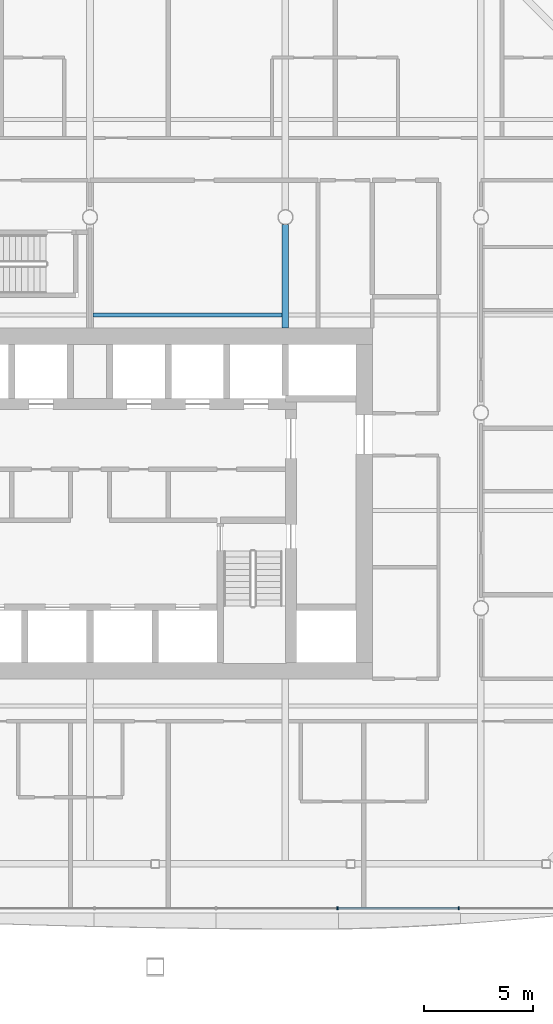
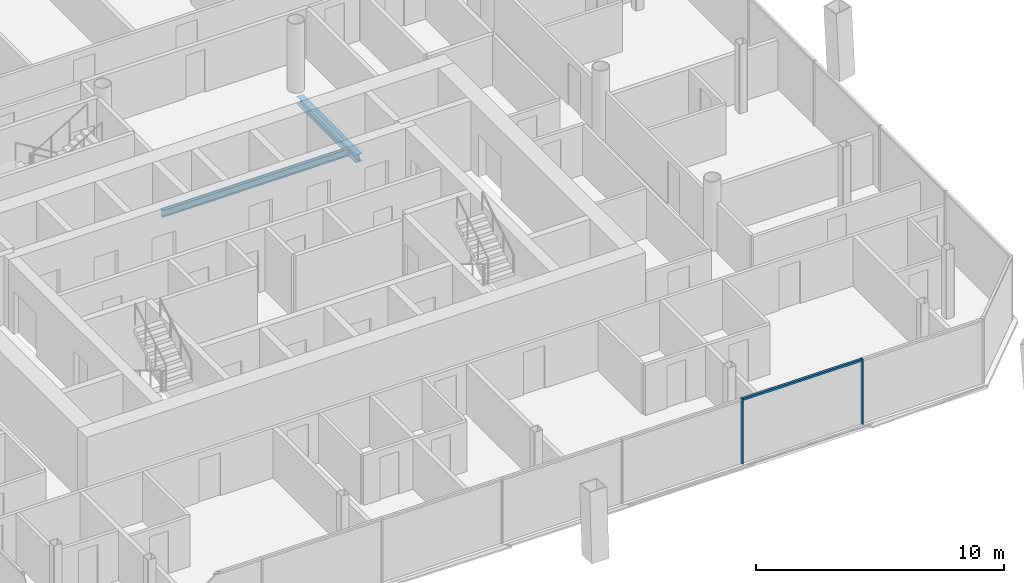
# One storey, part 6 of 21: 3 members, 2 beams, 1 element without a shape of its own.
"""IFC4 building model written with IfcOpenShell, lengths in metres."""

from ifc_helpers import new_model, si_unit, direction, frame, origin, origin_2d, place, context, subcontext, project, spatial, rectangle, i_section, extrude, material, material_profile, profile_set, type_object, element, aggregate, save


model = new_model("IFC4")

# Units and contexts
model_context = context("Model", 3, precision=1e-05, world=origin(), true_north=direction((0.0, 1.0)))
body_context = subcontext(model_context, "Body", "Model", "MODEL_VIEW")
ifc_project = project(units=[si_unit("LENGTHUNIT", "METRE"), si_unit("AREAUNIT", "SQUARE_METRE"), si_unit("VOLUMEUNIT", "CUBIC_METRE"), si_unit("PLANEANGLEUNIT", "RADIAN"), si_unit("MASSUNIT", "GRAM", prefix="KILO")], contexts=[model_context])

# Site, building, storey
site_placement = place(None, origin())
site = spatial("IfcSite", under=ifc_project, at=site_placement, CompositionType="ELEMENT")
building_placement = place(site_placement, origin())
building = spatial("IfcBuilding", under=site, at=building_placement, Name="Tskaro Facet Tower", CompositionType="ELEMENT")
storey_placement = place(building_placement, frame((0.0, 0.0, 138.5)))
storey = spatial("IfcBuildingStorey", under=building, at=storey_placement, Name="L33", CompositionType="ELEMENT", Elevation=138.5)

# Curtain wall, members
ifc_material_1 = material(Name="Bronze anodised aluminium 6063-T6", Category="aluminium")
curtain_wall_type = type_object("IfcCurtainWallType", Name="Bronze hotel curtain wall (FW2)", PredefinedType="NOTDEFINED", material=ifc_material_1)
curtain_wall_placement = place(storey_placement, origin())
curtain_wall = element("IfcCurtainWall", 1, at=curtain_wall_placement, inside=storey, type_object=curtain_wall_type, Name="FW2 south facet L33", PredefinedType="NOTDEFINED")
ifc_material_profile_1 = material_profile(ifc_material_1, rectangle(XDim=0.06005859375, YDim=0.14990234375, at=origin_2d()), Name="Mullion 60x150")
ifc_profile_set_1 = profile_set([ifc_material_profile_1], Name="Bronze anodised aluminium 6063-T6")
member_type_1 = type_object("IfcMemberType", Name="FW2 bronze mullion 60x150", PredefinedType="MULLION", material=ifc_profile_set_1)
member_1_placement = place(storey_placement, frame((11.388916015625, -22.820068359375, 0.0), z_axis=(0.0, 0.0, 1.0), x_axis=(1.0, 0.0, 0.0)))
member_1 = element("IfcMember", 2, at=member_1_placement, type_object=member_type_1, Name="FW2 south mullion 5", PredefinedType="MULLION", context=body_context, shape_type="SweptSolid", body=[
    extrude(rectangle(XDim=0.06005859375, YDim=0.14990234375, at=origin_2d()), origin(), (0.0, 0.0, 1.0), 3.199951171875),
])
member_2_placement = place(storey_placement, frame((16.9814453125, -22.820068359375, 0.0), z_axis=(0.0, 0.0, 1.0), x_axis=(1.0, 0.0, 0.0)))
member_2 = element("IfcMember", 3, at=member_2_placement, type_object=member_type_1, Name="FW2 south mullion 6", PredefinedType="MULLION", context=body_context, shape_type="SweptSolid", body=[
    extrude(rectangle(XDim=0.06005859375, YDim=0.14990234375, at=origin_2d()), origin(), (0.0, 0.0, 1.0), 3.199951171875),
])
ifc_material_profile_2 = material_profile(ifc_material_1, rectangle(XDim=0.110107421875, YDim=0.10009765625, at=origin_2d()), Name="Transom 110x100")
ifc_profile_set_2 = profile_set([ifc_material_profile_2], Name="Bronze anodised aluminium 6063-T6")
member_type_2 = type_object("IfcMemberType", Name="FW2 bronze transom 110x100", PredefinedType="USERDEFINED", material=ifc_profile_set_2)
member_3_placement = place(storey_placement, frame((11.4189453125, -22.820068359375, 3.14990234375), z_axis=(1.0, 0.0, 0.0), x_axis=(0.0, 1.0, 0.0)))
member_3 = element("IfcMember", 4, at=member_3_placement, type_object=member_type_2, Name="FW2 south transom 6.1", ObjectType="TRANSOM", PredefinedType="USERDEFINED", context=body_context, shape_type="SweptSolid", body=[
    extrude(rectangle(XDim=0.110107421875, YDim=0.10009765625, at=origin_2d()), origin(), (0.0, 0.0, 1.0), 5.532470703125),
])
aggregate(curtain_wall, [member_1, member_2, member_3])

# Beams
ifc_material_2 = material(Name="Steel S355J2", Category="steel")
ifc_material_profile_3 = material_profile(ifc_material_2, i_section(OverallWidth=0.300048828125, OverallDepth=0.389892578125, WebThickness=0.010986328125, FlangeThickness=0.01904296875, FilletRadius=0.027099609375, at=origin_2d()), Name="HE 400 A")
ifc_profile_set_3 = profile_set([ifc_material_profile_3], Name="Steel S355J2")
beam_type_1 = type_object("IfcBeamType", Name="HE 400 A girder", PredefinedType="BEAM", material=ifc_profile_set_3)
beam_1_placement = place(storey_placement, frame((9.0, 3.89990234375, -0.3349609375), z_axis=(0.0, 1.0, 0.0), x_axis=(-1.0, 0.0, 0.0)))
element("IfcBeam", 5, at=beam_1_placement, inside=storey, type_object=beam_type_1, Name="HE 400 A GB5-2-3", PredefinedType="BEAM", context=body_context, shape_type="SweptSolid", body=[
    extrude(i_section(OverallWidth=0.300048828125, OverallDepth=0.389892578125, WebThickness=0.010986328125, FlangeThickness=0.01904296875, FilletRadius=0.027099609375, at=origin_2d()), origin(), (0.0, 0.0, 1.0), 4.774658203125),
])
ifc_material_profile_4 = material_profile(ifc_material_2, i_section(OverallWidth=0.169921875, OverallDepth=0.360107421875, WebThickness=0.008056640625, FlangeThickness=0.0126953125, FilletRadius=0.01806640625, at=origin_2d()), Name="IPE 360")
ifc_profile_set_4 = profile_set([ifc_material_profile_4], Name="Steel S355J2")
beam_type_2 = type_object("IfcBeamType", Name="IPE 360 secondary beam", PredefinedType="BEAM", material=ifc_profile_set_4)
beam_2_placement = place(storey_placement, frame((0.14990234375, 4.5, -0.320068359375), z_axis=(1.0, 0.0, 0.0), x_axis=(0.0, 1.0, 0.0)))
element("IfcBeam", 6, at=beam_2_placement, inside=storey, type_object=beam_type_2, Name="IPE 360 SB4a-3-3", PredefinedType="BEAM", context=body_context, shape_type="SweptSolid", body=[
    extrude(i_section(OverallWidth=0.169921875, OverallDepth=0.360107421875, WebThickness=0.008056640625, FlangeThickness=0.0126953125, FilletRadius=0.01806640625, at=origin_2d()), origin(), (0.0, 0.0, 1.0), 8.7001953125),
])

save(model, "model.ifc")
